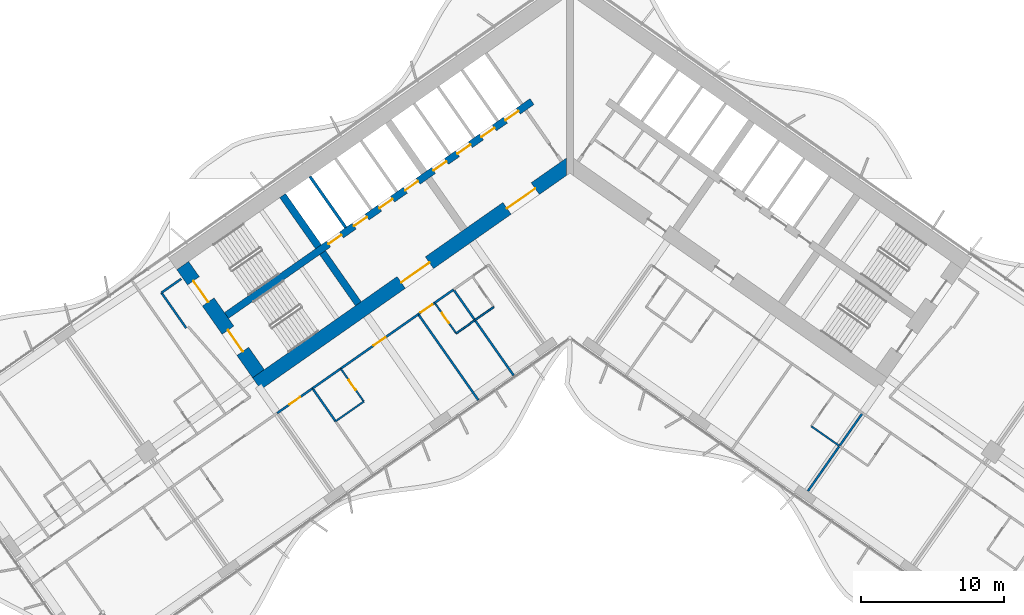
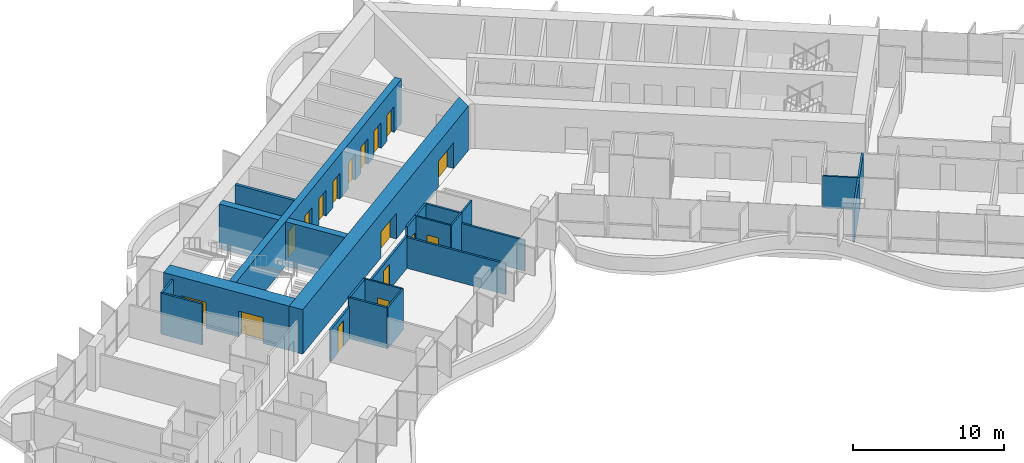
# One storey, part 14 of 25: 25 walls, 17 doors, 17 openings.
"""IFC4 building model written with IfcOpenShell, lengths in metres."""

from ifc_helpers import new_model, si_unit, direction, frame, frame_2d, origin, place, context, subcontext, project, spatial, polyline, rectangle, outline, extrude, material, layer, layer_set, type_object, element, fill, save


model = new_model("IFC4")

# Units and contexts
model_context = context("Model", 3, precision=1e-05, world=origin(), true_north=direction((0.0, 1.0)))
body_context = subcontext(model_context, "Body", "Model", "MODEL_VIEW")
ifc_project = project(units=[si_unit("LENGTHUNIT", "METRE"), si_unit("AREAUNIT", "SQUARE_METRE"), si_unit("VOLUMEUNIT", "CUBIC_METRE"), si_unit("PLANEANGLEUNIT", "RADIAN"), si_unit("MASSUNIT", "GRAM", prefix="KILO")], contexts=[model_context])

# Site, building, storey
site_placement = place(None, origin())
site = spatial("IfcSite", under=ifc_project, at=site_placement, CompositionType="ELEMENT")
building_placement = place(site_placement, origin())
building = spatial("IfcBuilding", under=site, at=building_placement, Name="Tel Ilan Convention Tower", CompositionType="ELEMENT")
storey_placement = place(building_placement, frame((0.0, 0.0, 76.10009765625)))
storey = spatial("IfcBuildingStorey", under=building, at=storey_placement, Name="L14", CompositionType="ELEMENT", Elevation=76.10009765625)

# Wall, openings, doors
ifc_material_1 = material(Name="Concrete C60/75", Category="concrete")
ifc_layer_1 = layer(ifc_material_1, 1.0)
ifc_layer_set_1 = layer_set([ifc_layer_1], Name="Core Shear Wall 1000 mm C60/75")
wall_type_1 = type_object("IfcWallType", Name="Core Shear Wall 1000 mm C60/75", PredefinedType="SHEAR", material=ifc_layer_set_1)
wall_1_placement = place(storey_placement, frame((0.036865234375, -0.584716796875, 0.0), z_axis=(0.0, 0.0, 1.0), x_axis=(-0.819157152511, -0.573569140985, 0.0)))
wall_1 = element("IfcWall", 1, at=wall_1_placement, inside=storey, type_object=wall_type_1, Name="L14 core wall W-front", PredefinedType="SHEAR", context=body_context, shape_type="SweptSolid", body=[
    extrude(outline(polyline([(26.69482421875, 0.500244140625), (0.7001953125, 0.499755859375), (0.0, -0.5), (26.69482421875, -0.499755859375), (26.69482421875, 0.500244140625)])), origin(), (0.0, 0.0, 1.0), 3.599853515625),
])
opening_1_placement = place(wall_1_placement, frame((2.994873046875, 0.0, 0.0)))
opening_1 = element("IfcOpeningElement", 2, at=opening_1_placement, cuts=wall_1, Name="Opening CD1405", PredefinedType="OPENING", context=body_context, shape_type="SweptSolid", body=[
    extrude(rectangle(XDim=2.39990234375, YDim=2.10009765625, at=frame_2d((1.199951171875, 1.050048828125))), frame((0.0, 0.510009765625, 0.0), z_axis=(0.0, -1.0, 0.0), x_axis=(1.0, 0.0, 0.0)), (0.0, 0.0, 1.0), 1.02001953125),
])
opening_2_placement = place(wall_1_placement, frame((11.994873046875, 0.0, 0.0)))
opening_2 = element("IfcOpeningElement", 3, at=opening_2_placement, cuts=wall_1, Name="Opening CD1406", PredefinedType="OPENING", context=body_context, shape_type="SweptSolid", body=[
    extrude(rectangle(XDim=2.39990234375, YDim=2.10009765625, at=frame_2d((1.199951171875, 1.050048828125))), frame((0.0, 0.510009765625, 0.0), z_axis=(0.0, -1.0, 0.0), x_axis=(1.0, 0.0, 0.0)), (0.0, 0.0, 1.0), 1.02001953125),
])
ifc_material_2 = material(Name="Glazed Aluminium Door Leaf", Category="aluminium")
door_type_1 = type_object("IfcDoorType", Name="Lobby Opening Door 2400 x 2100 FD60S", OperationType="NOTDEFINED", PredefinedType="DOOR", material=ifc_material_2)
door_1_placement = place(opening_1_placement, origin())
door_1 = element("IfcDoor", 4, at=door_1_placement, inside=storey, type_object=door_type_1, Name="Lift Lobby LR1-LR4 opening", OperationType="DOUBLE_DOOR_SINGLE_SWING", OverallHeight=2.10009765625, OverallWidth=2.39990234375, PredefinedType="DOOR", context=body_context, shape_type="SweptSolid", body=[
    extrude(rectangle(XDim=2.39990234375, YDim=2.10009765625, at=frame_2d((1.199951171875, 1.050048828125))), frame((0.0, 0.02490234375, 0.0), z_axis=(0.0, -1.0, 0.0), x_axis=(1.0, 0.0, 0.0)), (0.0, 0.0, 1.0), 0.050048828125),
])
fill(opening_1, door_1)
door_2_placement = place(opening_2_placement, origin())
door_2 = element("IfcDoor", 5, at=door_2_placement, inside=storey, type_object=door_type_1, Name="Lift Lobby LR5-LR8 opening", OperationType="DOUBLE_DOOR_SINGLE_SWING", OverallHeight=2.10009765625, OverallWidth=2.39990234375, PredefinedType="DOOR", context=body_context, shape_type="SweptSolid", body=[
    extrude(rectangle(XDim=2.39990234375, YDim=2.10009765625, at=frame_2d((1.199951171875, 1.050048828125))), frame((0.0, 0.02490234375, 0.0), z_axis=(0.0, -1.0, 0.0), x_axis=(1.0, 0.0, 0.0)), (0.0, 0.0, 1.0), 0.050048828125),
])
fill(opening_2, door_2)

wall_2_placement = place(storey_placement, frame((-21.70751953125, -15.19970703125, 0.0), z_axis=(0.0, 0.0, 1.0), x_axis=(-0.573576324356, 0.819152122709, 0.0)))
wall_2 = element("IfcWall", 6, at=wall_2_placement, inside=storey, type_object=wall_type_1, Name="L14 core wall W-end", PredefinedType="SHEAR", context=body_context, shape_type="SweptSolid", body=[
    extrude(outline(polyline([(0.0, 0.5), (0.0, -0.5), (9.199951171875, -0.5), (9.199951171875, 0.5), (0.0, 0.5)])), origin(), (0.0, 0.0, 1.0), 3.599853515625),
])
opening_3_placement = place(wall_2_placement, frame((6.10009765625, 0.0, 0.0)))
opening_3 = element("IfcOpeningElement", 7, at=opening_3_placement, cuts=wall_2, Name="Opening SD1401", PredefinedType="OPENING", context=body_context, shape_type="SweptSolid", body=[
    extrude(rectangle(XDim=1.800048828125, YDim=2.10009765625, at=frame_2d((0.89990234375, 1.050048828125))), frame((0.0, 0.510009765625, 0.0), z_axis=(0.0, -1.0, 0.0), x_axis=(1.0, 0.0, 0.0)), (0.0, 0.0, 1.0), 1.02001953125),
])
opening_4_placement = place(wall_2_placement, frame((1.89990234375, 0.0, 0.0)))
opening_4 = element("IfcOpeningElement", 8, at=opening_4_placement, cuts=wall_2, Name="Opening SD1402", PredefinedType="OPENING", context=body_context, shape_type="SweptSolid", body=[
    extrude(rectangle(XDim=1.800048828125, YDim=2.10009765625, at=frame_2d((0.89990234375, 1.050048828125))), frame((0.0, 0.510009765625, 0.0), z_axis=(0.0, -1.0, 0.0), x_axis=(1.0, 0.0, 0.0)), (0.0, 0.0, 1.0), 1.02001953125),
])
ifc_material_3 = material(Name="Galvanised Steel Door Leaf", Category="steel")
door_type_2 = type_object("IfcDoorType", Name="Stair Fire Door 1800 x 2100 FD60S", OperationType="NOTDEFINED", PredefinedType="DOOR", material=ifc_material_3)
door_3_placement = place(opening_3_placement, origin())
door_3 = element("IfcDoor", 9, at=door_3_placement, inside=storey, type_object=door_type_2, Name="Stair S1 door", OperationType="DOUBLE_DOOR_SINGLE_SWING", OverallHeight=2.10009765625, OverallWidth=1.800048828125, PredefinedType="DOOR", context=body_context, shape_type="SweptSolid", body=[
    extrude(rectangle(XDim=1.800048828125, YDim=2.10009765625, at=frame_2d((0.89990234375, 1.050048828125))), frame((0.0, 0.02490234375, 0.0), z_axis=(0.0, -1.0, 0.0), x_axis=(1.0, 0.0, 0.0)), (0.0, 0.0, 1.0), 0.050048828125),
])
fill(opening_3, door_3)
door_4_placement = place(opening_4_placement, origin())
door_4 = element("IfcDoor", 10, at=door_4_placement, inside=storey, type_object=door_type_2, Name="Stair S2 door", OperationType="DOUBLE_DOOR_SINGLE_SWING", OverallHeight=2.10009765625, OverallWidth=1.800048828125, PredefinedType="DOOR", context=body_context, shape_type="SweptSolid", body=[
    extrude(rectangle(XDim=1.800048828125, YDim=2.10009765625, at=frame_2d((0.89990234375, 1.050048828125))), frame((0.0, 0.02490234375, 0.0), z_axis=(0.0, -1.0, 0.0), x_axis=(1.0, 0.0, 0.0)), (0.0, 0.0, 1.0), 0.050048828125),
])
fill(opening_4, door_4)

# Walls
ifc_material_4 = material(Name="Concrete C60/75", Category="concrete")
ifc_layer_2 = layer(ifc_material_4, 0.5)
ifc_layer_set_2 = layer_set([ifc_layer_2], Name="Core Shear Wall 500 mm C60/75")
wall_type_2 = type_object("IfcWallType", Name="Core Shear Wall 500 mm C60/75", PredefinedType="SHEAR", material=ifc_layer_set_2)
wall_3_placement = place(storey_placement, frame((-14.74462890625, -10.324462890625, 0.0), z_axis=(0.0, 0.0, 1.0), x_axis=(-0.57356780395, 0.819158088694, 0.0)))
element("IfcWall", 11, at=wall_3_placement, inside=storey, type_object=wall_type_2, Name="L14 core wall W-cross2-1", PredefinedType="SHEAR", context=body_context, shape_type="SweptSolid", body=[
    extrude(outline(polyline([(4.35009765625, 0.250244140625), (0.0, 0.25), (0.0, -0.25), (4.35009765625, -0.25), (4.35009765625, 0.250244140625)])), origin(), (0.0, 0.0, 1.0), 3.599853515625),
])
wall_4_placement = place(storey_placement, frame((-17.526611328125, -6.3515625, 0.0), z_axis=(0.0, 0.0, 1.0), x_axis=(-0.573530143085, 0.819184457233, 0.0)))
element("IfcWall", 12, at=wall_4_placement, inside=storey, type_object=wall_type_2, Name="L14 core wall W-cross2-2", PredefinedType="SHEAR", context=body_context, shape_type="SweptSolid", body=[
    extrude(outline(polyline([(4.35009765625, -0.249755859375), (4.35009765625, 0.250244140625), (0.0, 0.25), (0.0, -0.25), (4.35009765625, -0.249755859375)])), origin(), (0.0, 0.0, 1.0), 3.599853515625),
])

# Wall, openings, doors
wall_5_placement = place(storey_placement, frame((-2.638427734375, 3.76806640625, 0.0), z_axis=(0.0, 0.0, 1.0), x_axis=(-0.819148977158, -0.573580816643, 0.0)))
wall_5 = element("IfcWall", 13, at=wall_5_placement, inside=storey, type_object=wall_type_2, Name="L14 core wall W-spine", PredefinedType="SHEAR", context=body_context, shape_type="SweptSolid", body=[
    extrude(outline(polyline([(26.0, 0.249755859375), (0.0, 0.25), (0.0, -0.25), (26.0, -0.250244140625), (26.0, 0.249755859375)])), origin(), (0.0, 0.0, 1.0), 3.599853515625),
])
opening_5_placement = place(wall_5_placement, frame((1.168701171875, 0.0, 0.0)))
opening_5 = element("IfcOpeningElement", 14, at=opening_5_placement, cuts=wall_5, Name="Opening LD1404", PredefinedType="OPENING", context=body_context, shape_type="SweptSolid", body=[
    extrude(rectangle(XDim=1.10009765625, YDim=2.10009765625, at=frame_2d((0.550048828125, 1.050048828125))), frame((0.0, 0.260009765625, 0.0), z_axis=(0.0, -1.0, 0.0), x_axis=(1.0, 0.0, 0.0)), (0.0, 0.0, 1.0), 0.52001953125),
])
opening_6_placement = place(wall_5_placement, frame((3.206298828125, 0.0, 0.0)))
opening_6 = element("IfcOpeningElement", 15, at=opening_6_placement, cuts=wall_5, Name="Opening LD1405", PredefinedType="OPENING", context=body_context, shape_type="SweptSolid", body=[
    extrude(rectangle(XDim=1.10009765625, YDim=2.10009765625, at=frame_2d((0.550048828125, 1.050048828125))), frame((0.0, 0.260009765625, 0.0), z_axis=(0.0, -1.0, 0.0), x_axis=(1.0, 0.0, 0.0)), (0.0, 0.0, 1.0), 0.52001953125),
])
opening_7_placement = place(wall_5_placement, frame((5.24365234375, 0.0, 0.0)))
opening_7 = element("IfcOpeningElement", 16, at=opening_7_placement, cuts=wall_5, Name="Opening LD1406", PredefinedType="OPENING", context=body_context, shape_type="SweptSolid", body=[
    extrude(rectangle(XDim=1.10009765625, YDim=2.10009765625, at=frame_2d((0.550048828125, 1.050048828125))), frame((0.0, 0.260009765625, 0.0), z_axis=(0.0, -1.0, 0.0), x_axis=(1.0, 0.0, 0.0)), (0.0, 0.0, 1.0), 0.52001953125),
])
opening_8_placement = place(wall_5_placement, frame((7.28125, 0.0, 0.0)))
opening_8 = element("IfcOpeningElement", 17, at=opening_8_placement, cuts=wall_5, Name="Opening LD1407", PredefinedType="OPENING", context=body_context, shape_type="SweptSolid", body=[
    extrude(rectangle(XDim=1.10009765625, YDim=2.10009765625, at=frame_2d((0.550048828125, 1.050048828125))), frame((0.0, 0.260009765625, 0.0), z_axis=(0.0, -1.0, 0.0), x_axis=(1.0, 0.0, 0.0)), (0.0, 0.0, 1.0), 0.52001953125),
])
opening_9_placement = place(wall_5_placement, frame((9.6875, 0.0, 0.0)))
opening_9 = element("IfcOpeningElement", 18, at=opening_9_placement, cuts=wall_5, Name="Opening LD1408", PredefinedType="OPENING", context=body_context, shape_type="SweptSolid", body=[
    extrude(rectangle(XDim=1.10009765625, YDim=2.10009765625, at=frame_2d((0.550048828125, 1.050048828125))), frame((0.0, 0.260009765625, 0.0), z_axis=(0.0, -1.0, 0.0), x_axis=(1.0, 0.0, 0.0)), (0.0, 0.0, 1.0), 0.52001953125),
])
opening_10_placement = place(wall_5_placement, frame((11.862548828125, 0.0, 0.0)))
opening_10 = element("IfcOpeningElement", 19, at=opening_10_placement, cuts=wall_5, Name="Opening LD1409", PredefinedType="OPENING", context=body_context, shape_type="SweptSolid", body=[
    extrude(rectangle(XDim=1.10009765625, YDim=2.10009765625, at=frame_2d((0.550048828125, 1.050048828125))), frame((0.0, 0.260009765625, 0.0), z_axis=(0.0, -1.0, 0.0), x_axis=(1.0, 0.0, 0.0)), (0.0, 0.0, 1.0), 0.52001953125),
])
opening_11_placement = place(wall_5_placement, frame((14.03759765625, 0.0, 0.0)))
opening_11 = element("IfcOpeningElement", 20, at=opening_11_placement, cuts=wall_5, Name="Opening LD1410", PredefinedType="OPENING", context=body_context, shape_type="SweptSolid", body=[
    extrude(rectangle(XDim=1.10009765625, YDim=2.10009765625, at=frame_2d((0.550048828125, 1.050048828125))), frame((0.0, 0.260009765625, 0.0), z_axis=(0.0, -1.0, 0.0), x_axis=(1.0, 0.0, 0.0)), (0.0, 0.0, 1.0), 0.52001953125),
])
opening_12_placement = place(wall_5_placement, frame((16.21240234375, 0.0, 0.0)))
opening_12 = element("IfcOpeningElement", 21, at=opening_12_placement, cuts=wall_5, Name="Opening LD1411", PredefinedType="OPENING", context=body_context, shape_type="SweptSolid", body=[
    extrude(rectangle(XDim=1.10009765625, YDim=2.10009765625, at=frame_2d((0.550048828125, 1.050048828125))), frame((0.0, 0.260009765625, 0.0), z_axis=(0.0, -1.0, 0.0), x_axis=(1.0, 0.0, 0.0)), (0.0, 0.0, 1.0), 0.52001953125),
])
ifc_material_5 = material(Name="Stainless Steel Sliding Door Leaf", Category="steel")
door_type_3 = type_object("IfcDoorType", Name="Lift Landing Door 1100 x 2100 FD120", OperationType="NOTDEFINED", PredefinedType="DOOR", material=ifc_material_5)
door_5_placement = place(opening_5_placement, origin())
door_5 = element("IfcDoor", 22, at=door_5_placement, inside=storey, type_object=door_type_3, Name="Lift LR1 landing door", OperationType="SLIDING_TO_LEFT", OverallHeight=2.10009765625, OverallWidth=1.10009765625, PredefinedType="DOOR", context=body_context, shape_type="SweptSolid", body=[
    extrude(rectangle(XDim=1.10009765625, YDim=2.10009765625, at=frame_2d((0.550048828125, 1.050048828125))), frame((0.0, 0.02490234375, 0.0), z_axis=(0.0, -1.0, 0.0), x_axis=(1.0, 0.0, 0.0)), (0.0, 0.0, 1.0), 0.050048828125),
])
fill(opening_5, door_5)
door_6_placement = place(opening_6_placement, origin())
door_6 = element("IfcDoor", 23, at=door_6_placement, inside=storey, type_object=door_type_3, Name="Lift LR2 landing door", OperationType="SLIDING_TO_RIGHT", OverallHeight=2.10009765625, OverallWidth=1.10009765625, PredefinedType="DOOR", context=body_context, shape_type="SweptSolid", body=[
    extrude(rectangle(XDim=1.10009765625, YDim=2.10009765625, at=frame_2d((0.550048828125, 1.050048828125))), frame((0.0, 0.02490234375, 0.0), z_axis=(0.0, -1.0, 0.0), x_axis=(1.0, 0.0, 0.0)), (0.0, 0.0, 1.0), 0.050048828125),
])
fill(opening_6, door_6)
door_7_placement = place(opening_7_placement, origin())
door_7 = element("IfcDoor", 24, at=door_7_placement, inside=storey, type_object=door_type_3, Name="Lift LR3 landing door", OperationType="SLIDING_TO_LEFT", OverallHeight=2.10009765625, OverallWidth=1.10009765625, PredefinedType="DOOR", context=body_context, shape_type="SweptSolid", body=[
    extrude(rectangle(XDim=1.10009765625, YDim=2.10009765625, at=frame_2d((0.550048828125, 1.050048828125))), frame((0.0, 0.02490234375, 0.0), z_axis=(0.0, -1.0, 0.0), x_axis=(1.0, 0.0, 0.0)), (0.0, 0.0, 1.0), 0.050048828125),
])
fill(opening_7, door_7)
door_8_placement = place(opening_8_placement, origin())
door_8 = element("IfcDoor", 25, at=door_8_placement, inside=storey, type_object=door_type_3, Name="Lift LR4 landing door", OperationType="SLIDING_TO_RIGHT", OverallHeight=2.10009765625, OverallWidth=1.10009765625, PredefinedType="DOOR", context=body_context, shape_type="SweptSolid", body=[
    extrude(rectangle(XDim=1.10009765625, YDim=2.10009765625, at=frame_2d((0.550048828125, 1.050048828125))), frame((0.0, 0.02490234375, 0.0), z_axis=(0.0, -1.0, 0.0), x_axis=(1.0, 0.0, 0.0)), (0.0, 0.0, 1.0), 0.050048828125),
])
fill(opening_8, door_8)
door_9_placement = place(opening_9_placement, origin())
door_9 = element("IfcDoor", 26, at=door_9_placement, inside=storey, type_object=door_type_3, Name="Lift LR5 landing door", OperationType="SLIDING_TO_LEFT", OverallHeight=2.10009765625, OverallWidth=1.10009765625, PredefinedType="DOOR", context=body_context, shape_type="SweptSolid", body=[
    extrude(rectangle(XDim=1.10009765625, YDim=2.10009765625, at=frame_2d((0.550048828125, 1.050048828125))), frame((0.0, 0.02490234375, 0.0), z_axis=(0.0, -1.0, 0.0), x_axis=(1.0, 0.0, 0.0)), (0.0, 0.0, 1.0), 0.050048828125),
])
fill(opening_9, door_9)
door_10_placement = place(opening_10_placement, origin())
door_10 = element("IfcDoor", 27, at=door_10_placement, inside=storey, type_object=door_type_3, Name="Lift LR6 landing door", OperationType="SLIDING_TO_RIGHT", OverallHeight=2.10009765625, OverallWidth=1.10009765625, PredefinedType="DOOR", context=body_context, shape_type="SweptSolid", body=[
    extrude(rectangle(XDim=1.10009765625, YDim=2.10009765625, at=frame_2d((0.550048828125, 1.050048828125))), frame((0.0, 0.02490234375, 0.0), z_axis=(0.0, -1.0, 0.0), x_axis=(1.0, 0.0, 0.0)), (0.0, 0.0, 1.0), 0.050048828125),
])
fill(opening_10, door_10)
door_11_placement = place(opening_11_placement, origin())
door_11 = element("IfcDoor", 28, at=door_11_placement, inside=storey, type_object=door_type_3, Name="Lift LR7 landing door", OperationType="SLIDING_TO_LEFT", OverallHeight=2.10009765625, OverallWidth=1.10009765625, PredefinedType="DOOR", context=body_context, shape_type="SweptSolid", body=[
    extrude(rectangle(XDim=1.10009765625, YDim=2.10009765625, at=frame_2d((0.550048828125, 1.050048828125))), frame((0.0, 0.02490234375, 0.0), z_axis=(0.0, -1.0, 0.0), x_axis=(1.0, 0.0, 0.0)), (0.0, 0.0, 1.0), 0.050048828125),
])
fill(opening_11, door_11)
door_12_placement = place(opening_12_placement, origin())
door_12 = element("IfcDoor", 29, at=door_12_placement, inside=storey, type_object=door_type_3, Name="Lift LR8 landing door", OperationType="SLIDING_TO_RIGHT", OverallHeight=2.10009765625, OverallWidth=1.10009765625, PredefinedType="DOOR", context=body_context, shape_type="SweptSolid", body=[
    extrude(rectangle(XDim=1.10009765625, YDim=2.10009765625, at=frame_2d((0.550048828125, 1.050048828125))), frame((0.0, 0.02490234375, 0.0), z_axis=(0.0, -1.0, 0.0), x_axis=(1.0, 0.0, 0.0)), (0.0, 0.0, 1.0), 0.050048828125),
])
fill(opening_12, door_12)

# Wall, opening, door
ifc_material_6 = material(Name="Plasterboard on Steel Studs", Category="steel")
ifc_layer_3 = layer(ifc_material_6, 0.14990234375)
ifc_layer_set_3 = layer_set([ifc_layer_3], Name="Fire-rated Partition 150 EI 60")
wall_type_3 = type_object("IfcWallType", Name="Fire-rated Partition 150 EI 60", PredefinedType="PARTITIONING", material=ifc_layer_set_3)
wall_6_placement = place(storey_placement, frame((-9.4189453125, -10.257568359375, 0.0), z_axis=(0.0, 0.0, 1.0), x_axis=(-0.81914197737, -0.573590813132, 0.0)))
wall_6 = element("IfcWall", 30, at=wall_6_placement, inside=storey, type_object=wall_type_3, Name="Partition 028", PredefinedType="PARTITIONING", context=body_context, shape_type="SweptSolid", body=[
    extrude(rectangle(XDim=1.40283203125, YDim=0.14990234375, at=frame_2d((0.701416015625, 0.0))), origin(), (0.0, 0.0, 1.0), 3.31982421875),
])
opening_13_placement = place(wall_6_placement, frame((0.200927734375, 0.0, 0.0)))
opening_13 = element("IfcOpeningElement", 31, at=opening_13_placement, cuts=wall_6, Name="Opening L14-004", PredefinedType="OPENING", context=body_context, shape_type="SweptSolid", body=[
    extrude(rectangle(XDim=1.0, YDim=2.10009765625, at=frame_2d((0.5, 1.050048828125))), frame((0.0, 0.0849609375, 0.0), z_axis=(0.0, -1.0, 0.0), x_axis=(1.0, 0.0, 0.0)), (0.0, 0.0, 1.0), 0.169921875),
])
ifc_material_7 = material(Name="Timber Door Leaf in Steel Frame", Category="steel")
door_type_4 = type_object("IfcDoorType", Name="Hotel Room Entrance Fire Door 1000x2100", OperationType="NOTDEFINED", PredefinedType="DOOR", material=ifc_material_7)
door_13_placement = place(opening_13_placement, origin())
door_13 = element("IfcDoor", 32, at=door_13_placement, inside=storey, type_object=door_type_4, Name="Door L14-004", OperationType="SINGLE_SWING_LEFT", OverallHeight=2.10009765625, OverallWidth=1.0, PredefinedType="DOOR", context=body_context, shape_type="SweptSolid", body=[
    extrude(rectangle(XDim=1.0, YDim=2.10009765625, at=frame_2d((0.5, 1.050048828125))), frame((0.0, 0.02490234375, 0.0), z_axis=(0.0, -1.0, 0.0), x_axis=(1.0, 0.0, 0.0)), (0.0, 0.0, 1.0), 0.050048828125),
])
fill(opening_13, door_13)

# Wall
wall_7_placement = place(storey_placement, frame((-8.107421875, -9.339111328125, 0.0), z_axis=(0.0, 0.0, 1.0), x_axis=(-0.819117502046, -0.573625764625, 0.0)))
element("IfcWall", 33, at=wall_7_placement, inside=storey, type_object=wall_type_3, Name="Partition 029", PredefinedType="PARTITIONING", context=body_context, shape_type="SweptSolid", body=[
    extrude(rectangle(XDim=1.60400390625, YDim=0.14990234375, at=frame_2d((0.802001953125, 0.0))), origin(), (0.0, 0.0, 1.0), 3.31982421875),
])

# Wall, opening, door
wall_8_placement = place(storey_placement, frame((-10.56494140625, -11.06005859375, 0.0), z_axis=(0.0, 0.0, 1.0), x_axis=(-0.819153746897, -0.573574004767, 0.0)))
wall_8 = element("IfcWall", 34, at=wall_8_placement, inside=storey, type_object=wall_type_3, Name="Partition 030", PredefinedType="PARTITIONING", context=body_context, shape_type="SweptSolid", body=[
    extrude(rectangle(XDim=6.60302734375, YDim=0.14990234375, at=frame_2d((3.301513671875, 0.0))), origin(), (0.0, 0.0, 1.0), 2.599853515625),
])
opening_14_placement = place(wall_8_placement, frame((2.802001953125, 0.0, 0.0)))
opening_14 = element("IfcOpeningElement", 35, at=opening_14_placement, cuts=wall_8, Name="Opening L14-006", PredefinedType="OPENING", context=body_context, shape_type="SweptSolid", body=[
    extrude(rectangle(XDim=1.0, YDim=2.10009765625, at=frame_2d((0.5, 1.050048828125))), frame((0.0, 0.0849609375, 0.0), z_axis=(0.0, -1.0, 0.0), x_axis=(1.0, 0.0, 0.0)), (0.0, 0.0, 1.0), 0.169921875),
])
door_14_placement = place(opening_14_placement, origin())
door_14 = element("IfcDoor", 36, at=door_14_placement, inside=storey, type_object=door_type_4, Name="Door L14-006", OperationType="SINGLE_SWING_LEFT", OverallHeight=2.10009765625, OverallWidth=1.0, PredefinedType="DOOR", context=body_context, shape_type="SweptSolid", body=[
    extrude(rectangle(XDim=1.0, YDim=2.10009765625, at=frame_2d((0.5, 1.050048828125))), frame((0.0, 0.02490234375, 0.0), z_axis=(0.0, -1.0, 0.0), x_axis=(1.0, 0.0, 0.0)), (0.0, 0.0, 1.0), 0.050048828125),
])
fill(opening_14, door_14)

# Wall
wall_9_placement = place(storey_placement, frame((-15.97119140625, -14.845703125, 0.0), z_axis=(0.0, 0.0, 1.0), x_axis=(-0.81922714955, -0.573469159974, 0.0)))
element("IfcWall", 37, at=wall_9_placement, inside=storey, type_object=wall_type_3, Name="Partition 031", PredefinedType="PARTITIONING", context=body_context, shape_type="SweptSolid", body=[
    extrude(rectangle(XDim=2.404052734375, YDim=0.14990234375, at=frame_2d((1.2021484375, 0.0))), origin(), (0.0, 0.0, 1.0), 3.31982421875),
])

# Wall, opening, door
wall_10_placement = place(storey_placement, frame((-17.937255859375, -16.22216796875, 0.0), z_axis=(0.0, 0.0, 1.0), x_axis=(-0.819128818764, -0.573609604409, 0.0)))
wall_10 = element("IfcWall", 38, at=wall_10_placement, inside=storey, type_object=wall_type_3, Name="Partition 032", PredefinedType="PARTITIONING", context=body_context, shape_type="SweptSolid", body=[
    extrude(rectangle(XDim=3.004150390625, YDim=0.14990234375, at=frame_2d((1.501953125, 0.0))), origin(), (0.0, 0.0, 1.0), 2.599853515625),
])
opening_15_placement = place(wall_10_placement, frame((1.052001953125, 0.0, 0.0)))
opening_15 = element("IfcOpeningElement", 39, at=opening_15_placement, cuts=wall_10, Name="Opening L14-007", PredefinedType="OPENING", context=body_context, shape_type="SweptSolid", body=[
    extrude(rectangle(XDim=0.89990234375, YDim=2.10009765625, at=frame_2d((0.449951171875, 1.050048828125))), frame((0.0, 0.0849609375, 0.0), z_axis=(0.0, -1.0, 0.0), x_axis=(1.0, 0.0, 0.0)), (0.0, 0.0, 1.0), 0.169921875),
])
ifc_material_8 = material(Name="Timber Door Leaf in Steel Frame", Category="steel")
door_type_5 = type_object("IfcDoorType", Name="Room Fire Door 900x2100", OperationType="NOTDEFINED", PredefinedType="DOOR", material=ifc_material_8)
door_15_placement = place(opening_15_placement, origin())
door_15 = element("IfcDoor", 40, at=door_15_placement, inside=storey, type_object=door_type_5, Name="Door L14-007", OperationType="SINGLE_SWING_RIGHT", OverallHeight=2.10009765625, OverallWidth=0.89990234375, PredefinedType="DOOR", context=body_context, shape_type="SweptSolid", body=[
    extrude(rectangle(XDim=0.89990234375, YDim=2.10009765625, at=frame_2d((0.449951171875, 1.050048828125))), frame((0.0, 0.02490234375, 0.0), z_axis=(0.0, -1.0, 0.0), x_axis=(1.0, 0.0, 0.0)), (0.0, 0.0, 1.0), 0.050048828125),
])
fill(opening_15, door_15)

# Walls
wall_11_placement = place(storey_placement, frame((18.789794921875, -20.238525390625, 0.0), z_axis=(0.0, 0.0, 1.0), x_axis=(-0.573594994199, -0.819139049631, 0.0)))
element("IfcWall", 41, at=wall_11_placement, inside=storey, type_object=wall_type_3, Name="Partition 057", PredefinedType="PARTITIONING", context=body_context, shape_type="SweptSolid", body=[
    extrude(rectangle(XDim=3.8291015625, YDim=0.14990234375, at=frame_2d((1.91455078125, 0.0))), origin(), (0.0, 0.0, 1.0), 2.599853515625),
])
wall_12_placement = place(storey_placement, frame((20.396484375, -17.944091796875, 0.0), z_axis=(0.0, 0.0, 1.0), x_axis=(-0.57364959175, -0.819100815459, 0.0)))
element("IfcWall", 42, at=wall_12_placement, inside=storey, type_object=wall_type_3, Name="Partition 058", PredefinedType="PARTITIONING", context=body_context, shape_type="SweptSolid", body=[
    extrude(rectangle(XDim=2.800048828125, YDim=0.14990234375, at=frame_2d((1.39990234375, 0.0))), origin(), (0.0, 0.0, 1.0), 2.599853515625),
])
wall_13_placement = place(storey_placement, frame((-26.74609375, -12.013671875, 0.0), z_axis=(0.0, 0.0, 1.0), x_axis=(-0.573560650686, 0.819163097304, 0.0)))
element("IfcWall", 43, at=wall_13_placement, inside=storey, type_object=wall_type_3, Name="Partition 067", PredefinedType="PARTITIONING", context=body_context, shape_type="SweptSolid", body=[
    extrude(rectangle(XDim=3.0, YDim=0.14990234375, at=frame_2d((1.5, 0.0))), origin(), (0.0, 0.0, 1.0), 3.31982421875),
])
wall_14_placement = place(storey_placement, frame((-28.466796875, -9.55615234375, 0.0), z_axis=(0.0, 0.0, 1.0), x_axis=(0.819109000826, 0.573637903879, 0.0)))
element("IfcWall", 44, at=wall_14_placement, inside=storey, type_object=wall_type_3, Name="Partition 068", PredefinedType="PARTITIONING", context=body_context, shape_type="SweptSolid", body=[
    extrude(rectangle(XDim=1.679931640625, YDim=0.14990234375, at=frame_2d((0.83984375, 0.0))), origin(), (0.0, 0.0, 1.0), 3.31982421875),
])
wall_15_placement = place(storey_placement, frame((-3.922119140625, -15.3203125, 0.0), z_axis=(0.0, 0.0, 1.0), x_axis=(-0.573535567792, 0.819180659243, 0.0)))
element("IfcWall", 45, at=wall_15_placement, inside=storey, type_object=wall_type_3, Name="Partition 085", PredefinedType="PARTITIONING", context=body_context, shape_type="SweptSolid", body=[
    extrude(rectangle(XDim=4.698974609375, YDim=0.14990234375, at=frame_2d((2.349609375, 0.0))), origin(), (0.0, 0.0, 1.0), 2.5),
])
wall_16_placement = place(storey_placement, frame((-6.617919921875, -11.47021484375, 0.0), z_axis=(0.0, 0.0, 1.0), x_axis=(-0.573537965655, 0.819178980414, 0.0)))
element("IfcWall", 46, at=wall_16_placement, inside=storey, type_object=wall_type_3, Name="Partition 086", PredefinedType="PARTITIONING", context=body_context, shape_type="SweptSolid", body=[
    extrude(rectangle(XDim=2.60009765625, YDim=0.14990234375, at=frame_2d((1.300048828125, 0.0))), origin(), (0.0, 0.0, 1.0), 3.31982421875),
])
wall_17_placement = place(storey_placement, frame((-6.37939453125, -17.041015625, 0.0), z_axis=(0.0, 0.0, 1.0), x_axis=(-0.573579051994, 0.81915021279, 0.0)))
element("IfcWall", 47, at=wall_17_placement, inside=storey, type_object=wall_type_3, Name="Partition 089", PredefinedType="PARTITIONING", context=body_context, shape_type="SweptSolid", body=[
    extrude(rectangle(XDim=7.30029296875, YDim=0.14990234375, at=frame_2d((3.650146484375, 0.0))), origin(), (0.0, 0.0, 1.0), 2.5),
])
wall_18_placement = place(storey_placement, frame((-16.3330078125, -18.516845703125, 0.0), z_axis=(0.0, 0.0, 1.0), x_axis=(-0.573591086599, 0.819141785879, 0.0)))
element("IfcWall", 48, at=wall_18_placement, inside=storey, type_object=wall_type_3, Name="Partition 093", PredefinedType="PARTITIONING", context=body_context, shape_type="SweptSolid", body=[
    extrude(rectangle(XDim=2.7998046875, YDim=0.14990234375, at=frame_2d((1.39990234375, 0.0))), origin(), (0.0, 0.0, 1.0), 3.31982421875),
])
ifc_material_9 = material(Name="Concrete C30/37", Category="concrete")
ifc_layer_4 = layer(ifc_material_9, 0.199951171875)
ifc_layer_set_4 = layer_set([ifc_layer_4], Name="Lift Shaft Wall 200 mm C30/37")
wall_type_4 = type_object("IfcWallType", Name="Lift Shaft Wall 200 mm C30/37", PredefinedType="SOLIDWALL", material=ifc_layer_set_4)
wall_19_placement = place(storey_placement, frame((-15.6220703125, -5.017822265625, 0.0), z_axis=(0.0, 0.0, 1.0), x_axis=(-0.573594173421, 0.819139624372, 0.0)))
element("IfcWall", 49, at=wall_19_placement, inside=storey, type_object=wall_type_4, Name="L14 core wall bank-W2-p2", PredefinedType="SOLIDWALL", context=body_context, shape_type="SweptSolid", body=[
    extrude(rectangle(XDim=4.349853515625, YDim=0.199951171875, at=frame_2d((2.1748046875, 0.0))), origin(), (0.0, 0.0, 1.0), 3.599853515625),
])
ifc_material_10 = material(Name="Plasterboard on Steel Studs", Category="steel")
ifc_layer_5 = layer(ifc_material_10, 0.1201171875)
ifc_layer_set_5 = layer_set([ifc_layer_5], Name="Moisture-resistant Partition 120")
wall_type_5 = type_object("IfcWallType", Name="Moisture-resistant Partition 120", PredefinedType="PARTITIONING", material=ifc_layer_set_5)
wall_20_placement = place(storey_placement, frame((16.82373046875, -18.86181640625, 0.0), z_axis=(0.0, 0.0, 1.0), x_axis=(0.819141114317, -0.573592045652, 0.0)))
element("IfcWall", 50, at=wall_20_placement, inside=storey, type_object=wall_type_5, Name="Partition 056", PredefinedType="PARTITIONING", context=body_context, shape_type="SweptSolid", body=[
    extrude(rectangle(XDim=2.400146484375, YDim=0.1201171875, at=frame_2d((1.2001953125, 0.0))), origin(), (0.0, 0.0, 1.0), 2.599853515625),
])
wall_21_placement = place(storey_placement, frame((-6.6171875, -11.470947265625, 0.0), z_axis=(0.0, 0.0, 1.0), x_axis=(0.819131543282, 0.57360571371, 0.0)))
element("IfcWall", 51, at=wall_21_placement, inside=storey, type_object=wall_type_5, Name="Partition 083", PredefinedType="PARTITIONING", context=body_context, shape_type="SweptSolid", body=[
    extrude(rectangle(XDim=1.599853515625, YDim=0.1201171875, at=frame_2d((0.7998046875, 0.0))), origin(), (0.0, 0.0, 1.0), 3.31982421875),
])

# Wall, opening, door
wall_22_placement = place(storey_placement, frame((-9.420654296875, -10.2587890625, 0.0), z_axis=(0.0, 0.0, 1.0), x_axis=(0.573645091666, -0.819103967032, 0.0)))
wall_22 = element("IfcWall", 52, at=wall_22_placement, inside=storey, type_object=wall_type_5, Name="Partition 087", PredefinedType="PARTITIONING", context=body_context, shape_type="SweptSolid", body=[
    extrude(rectangle(XDim=2.599853515625, YDim=0.1201171875, at=frame_2d((1.2998046875, 0.0))), origin(), (0.0, 0.0, 1.0), 3.31982421875),
])
opening_16_placement = place(wall_22_placement, frame((0.875, 0.0, 0.0)))
opening_16 = element("IfcOpeningElement", 53, at=opening_16_placement, cuts=wall_22, Name="Opening L14-003", PredefinedType="OPENING", context=body_context, shape_type="SweptSolid", body=[
    extrude(rectangle(XDim=0.85009765625, YDim=2.050048828125, at=frame_2d((0.425048828125, 1.02490234375))), frame((0.0, 0.070068359375, 0.0), z_axis=(0.0, -1.0, 0.0), x_axis=(1.0, 0.0, 0.0)), (0.0, 0.0, 1.0), 0.14013671875),
])
ifc_material_11 = material(Name="Timber Door Leaf in Steel Frame", Category="steel")
door_type_6 = type_object("IfcDoorType", Name="Bathroom Timber Door 850x2050", OperationType="NOTDEFINED", PredefinedType="DOOR", material=ifc_material_11)
door_16_placement = place(opening_16_placement, origin())
door_16 = element("IfcDoor", 54, at=door_16_placement, inside=storey, type_object=door_type_6, Name="Door L14-003", OperationType="SINGLE_SWING_RIGHT", OverallHeight=2.050048828125, OverallWidth=0.85009765625, PredefinedType="DOOR", context=body_context, shape_type="SweptSolid", body=[
    extrude(rectangle(XDim=0.85009765625, YDim=2.050048828125, at=frame_2d((0.425048828125, 1.02490234375))), frame((0.0, 0.02490234375, 0.0), z_axis=(0.0, -1.0, 0.0), x_axis=(1.0, 0.0, 0.0)), (0.0, 0.0, 1.0), 0.050048828125),
])
fill(opening_16, door_16)

# Walls
wall_23_placement = place(storey_placement, frame((-7.927978515625, -12.388671875, 0.0), z_axis=(0.0, 0.0, 1.0), x_axis=(0.81918174131, 0.573534022273, 0.0)))
element("IfcWall", 55, at=wall_23_placement, inside=storey, type_object=wall_type_5, Name="Partition 088", PredefinedType="PARTITIONING", context=body_context, shape_type="SweptSolid", body=[
    extrude(rectangle(XDim=1.60009765625, YDim=0.1201171875, at=frame_2d((0.800048828125, 0.0))), origin(), (0.0, 0.0, 1.0), 3.31982421875),
])
wall_24_placement = place(storey_placement, frame((-16.332275390625, -18.517578125, 0.0), z_axis=(0.0, 0.0, 1.0), x_axis=(0.819155442668, 0.573571582932, 0.0)))
element("IfcWall", 56, at=wall_24_placement, inside=storey, type_object=wall_type_5, Name="Partition 090", PredefinedType="PARTITIONING", context=body_context, shape_type="SweptSolid", body=[
    extrude(rectangle(XDim=2.39990234375, YDim=0.1201171875, at=frame_2d((1.199951171875, 0.0))), origin(), (0.0, 0.0, 1.0), 3.31982421875),
])

# Wall, opening, door
wall_25_placement = place(storey_placement, frame((-14.3662109375, -17.139892578125, 0.0), z_axis=(0.0, 0.0, 1.0), x_axis=(-0.573550118428, 0.819170471667, 0.0)))
wall_25 = element("IfcWall", 57, at=wall_25_placement, inside=storey, type_object=wall_type_5, Name="Partition 091", PredefinedType="PARTITIONING", context=body_context, shape_type="SweptSolid", body=[
    extrude(rectangle(XDim=2.800048828125, YDim=0.1201171875, at=frame_2d((1.39990234375, 0.0))), origin(), (0.0, 0.0, 1.0), 3.31982421875),
])
opening_17_placement = place(wall_25_placement, frame((0.97509765625, 0.0, 0.0)))
opening_17 = element("IfcOpeningElement", 58, at=opening_17_placement, cuts=wall_25, Name="Opening L14-005", PredefinedType="OPENING", context=body_context, shape_type="SweptSolid", body=[
    extrude(rectangle(XDim=0.85009765625, YDim=2.050048828125, at=frame_2d((0.425048828125, 1.02490234375))), frame((0.0, 0.070068359375, 0.0), z_axis=(0.0, -1.0, 0.0), x_axis=(1.0, 0.0, 0.0)), (0.0, 0.0, 1.0), 0.14013671875),
])
door_17_placement = place(opening_17_placement, origin())
door_17 = element("IfcDoor", 59, at=door_17_placement, inside=storey, type_object=door_type_6, Name="Door L14-005", OperationType="SINGLE_SWING_LEFT", OverallHeight=2.050048828125, OverallWidth=0.85009765625, PredefinedType="DOOR", context=body_context, shape_type="SweptSolid", body=[
    extrude(rectangle(XDim=0.85009765625, YDim=2.050048828125, at=frame_2d((0.425048828125, 1.02490234375))), frame((0.0, 0.02490234375, 0.0), z_axis=(0.0, -1.0, 0.0), x_axis=(1.0, 0.0, 0.0)), (0.0, 0.0, 1.0), 0.050048828125),
])
fill(opening_17, door_17)

save(model, "model.ifc")
